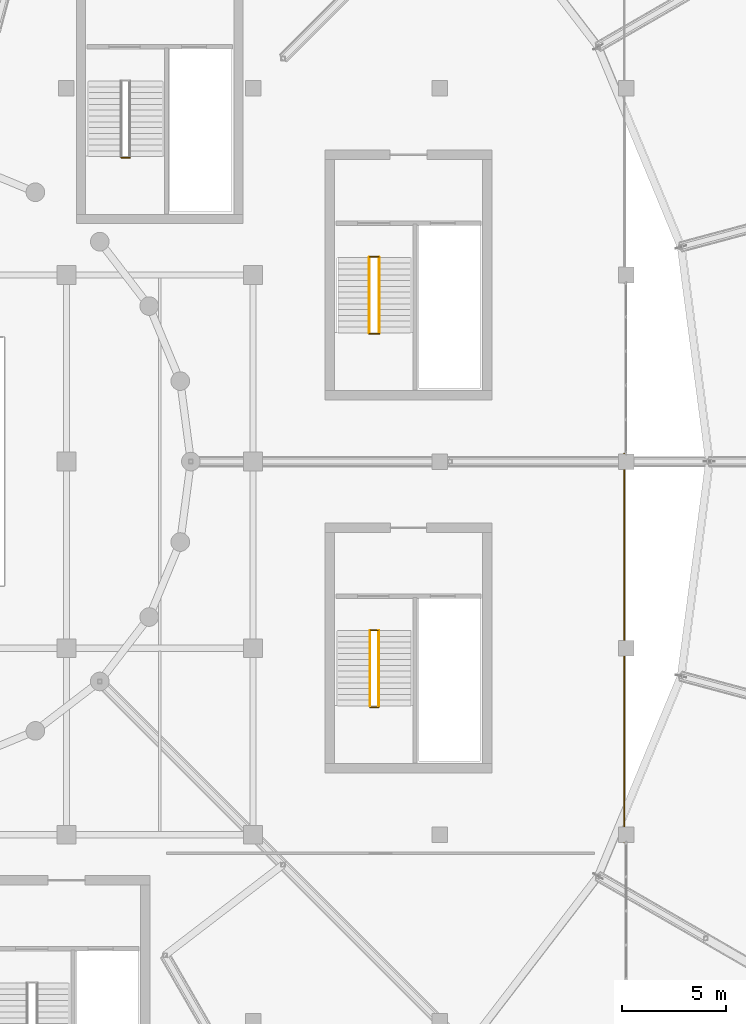
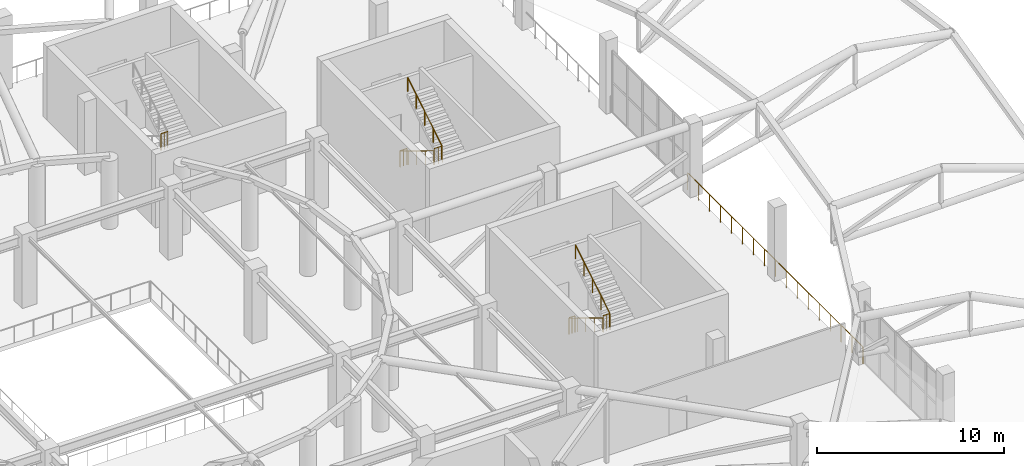
# One storey, part 156 of 167: 10 railings.
"""IFC4 building model written with IfcOpenShell, lengths in metres."""

from ifc_helpers import new_model, si_unit, direction, frame, origin, origin_2d, place, context, subcontext, project, spatial, circle, extrude, material, type_object, element, save


model = new_model("IFC4")

# Units and contexts
model_context = context("Model", 3, precision=1e-05, world=origin(), true_north=direction((0.0, 1.0)))
body_context = subcontext(model_context, "Body", "Model", "MODEL_VIEW")
ifc_project = project(units=[si_unit("LENGTHUNIT", "METRE"), si_unit("AREAUNIT", "SQUARE_METRE"), si_unit("VOLUMEUNIT", "CUBIC_METRE"), si_unit("PLANEANGLEUNIT", "RADIAN"), si_unit("MASSUNIT", "GRAM", prefix="KILO")], contexts=[model_context])

# Site, building, storey
site_placement = place(None, origin())
site = spatial("IfcSite", under=ifc_project, at=site_placement, CompositionType="ELEMENT")
building_placement = place(site_placement, origin())
building = spatial("IfcBuilding", under=site, at=building_placement, Name="Dornveld Trade and Exhibition Forum", CompositionType="ELEMENT")
storey_placement = place(building_placement, frame((0.0, 0.0, 16.800048828125)))
storey = spatial("IfcBuildingStorey", under=building, at=storey_placement, Name="L03", CompositionType="ELEMENT", Elevation=16.800048828125)

# Railings
ifc_material_1 = material(Name="Dark-bronze steel and laminated glass balustrade", Category="steel")
railing_type_1 = type_object("IfcRailingType", Name="RL-BALUST-CONC", PredefinedType="BALUSTRADE", material=ifc_material_1)
railing_1_placement = place(storey_placement, frame((152.89990234375, 81.37109375, 0.0)))
element("IfcRailing", 1, at=railing_1_placement, inside=storey, type_object=railing_type_1, Name="L03 deck edge balustrade 190", PredefinedType="BALUSTRADE", context=body_context, shape_type="SweptSolid", body=[
    extrude(circle(Radius=0.02490234375, at=origin_2d()), frame((0.0, 0.0, 1.09521484375), z_axis=(0.0, -1.0, 0.0), x_axis=(1.0, 0.0, 0.0)), (0.0, 0.0, 1.0), 18.7421875),
    extrude(circle(Radius=0.02099609375, at=origin_2d()), origin(), (0.0, 0.0, 1.0), 1.070068359375),
    extrude(circle(Radius=0.02099609375, at=origin_2d()), frame((0.0, -1.17138671875, 0.0)), (0.0, 0.0, 1.0), 1.070068359375),
    extrude(circle(Radius=0.02099609375, at=origin_2d()), frame((0.0, -2.3427734375, 0.0)), (0.0, 0.0, 1.0), 1.070068359375),
    extrude(circle(Radius=0.02099609375, at=origin_2d()), frame((0.0, -3.51416015625, 0.0)), (0.0, 0.0, 1.0), 1.070068359375),
    extrude(circle(Radius=0.02099609375, at=origin_2d()), frame((0.0, -4.685546875, 0.0)), (0.0, 0.0, 1.0), 1.070068359375),
    extrude(circle(Radius=0.02099609375, at=origin_2d()), frame((0.0, -5.85693359375, 0.0)), (0.0, 0.0, 1.0), 1.070068359375),
    extrude(circle(Radius=0.02099609375, at=origin_2d()), frame((0.0, -7.0283203125, 0.0)), (0.0, 0.0, 1.0), 1.070068359375),
    extrude(circle(Radius=0.02099609375, at=origin_2d()), frame((0.0, -8.19970703125, 0.0)), (0.0, 0.0, 1.0), 1.070068359375),
    extrude(circle(Radius=0.02099609375, at=origin_2d()), frame((0.0, -9.37109375, 0.0)), (0.0, 0.0, 1.0), 1.070068359375),
    extrude(circle(Radius=0.02099609375, at=origin_2d()), frame((0.0, -10.54248046875, 0.0)), (0.0, 0.0, 1.0), 1.070068359375),
    extrude(circle(Radius=0.02099609375, at=origin_2d()), frame((0.0, -11.7138671875, 0.0)), (0.0, 0.0, 1.0), 1.070068359375),
    extrude(circle(Radius=0.02099609375, at=origin_2d()), frame((0.0, -12.88525390625, 0.0)), (0.0, 0.0, 1.0), 1.070068359375),
    extrude(circle(Radius=0.02099609375, at=origin_2d()), frame((0.0, -14.056640625, 0.0)), (0.0, 0.0, 1.0), 1.070068359375),
    extrude(circle(Radius=0.02099609375, at=origin_2d()), frame((0.0, -15.22802734375, 0.0)), (0.0, 0.0, 1.0), 1.070068359375),
    extrude(circle(Radius=0.02099609375, at=origin_2d()), frame((0.0, -16.3994140625, 0.0)), (0.0, 0.0, 1.0), 1.070068359375),
    extrude(circle(Radius=0.02099609375, at=origin_2d()), frame((0.0, -17.57080078125, 0.0)), (0.0, 0.0, 1.0), 1.070068359375),
    extrude(circle(Radius=0.02099609375, at=origin_2d()), frame((0.0, -18.7421875, 0.0)), (0.0, 0.0, 1.0), 1.070068359375),
])
ifc_material_2 = material(Name="Brushed stainless steel handrail", Category="steel")
railing_type_2 = type_object("IfcRailingType", Name="RL-HAND-920", PredefinedType="HANDRAIL", material=ifc_material_2)
railing_2_placement = place(storey_placement, frame((140.60498046875, 90.85009765625, 0.17138671875)))
element("IfcRailing", 2, at=railing_2_placement, inside=storey, type_object=railing_type_2, Name="ST-01-L03 flight 1 handrail", PredefinedType="HANDRAIL", context=body_context, shape_type="SweptSolid", body=[
    extrude(circle(Radius=0.02099609375, at=origin_2d()), frame((0.0, 0.0, 0.89892578125), z_axis=(0.0, -0.852865859571, 0.52213008492), x_axis=(1.0, 0.0, 0.0)), (0.0, 0.0, 1.0), 4.26806640625),
    extrude(circle(Radius=0.01806640625, at=origin_2d()), origin(), (0.0, 0.0, 1.0), 0.8779296875),
    extrude(circle(Radius=0.01806640625, at=origin_2d()), frame((0.0, -0.91015625, 0.55712890625)), (0.0, 0.0, 1.0), 0.8779296875),
    extrude(circle(Radius=0.01806640625, at=origin_2d()), frame((0.0, -1.820068359375, 1.1142578125)), (0.0, 0.0, 1.0), 0.8779296875),
    extrude(circle(Radius=0.01806640625, at=origin_2d()), frame((0.0, -2.72998046875, 1.67138671875)), (0.0, 0.0, 1.0), 0.8779296875),
    extrude(circle(Radius=0.01806640625, at=origin_2d()), frame((0.0, -3.64013671875, 2.228515625)), (0.0, 0.0, 1.0), 0.8779296875),
])
railing_3_placement = place(storey_placement, frame((141.094970703125, 87.2099609375, 2.5712890625)))
element("IfcRailing", 3, at=railing_3_placement, inside=storey, type_object=railing_type_2, Name="ST-01-L03 flight 2 handrail", PredefinedType="HANDRAIL", context=body_context, shape_type="SweptSolid", body=[
    extrude(circle(Radius=0.02099609375, at=origin_2d()), frame((0.0, 0.0, 0.89892578125), z_axis=(0.0, 0.852840387347, 0.522171689878), x_axis=(-1.0, 0.0, 0.0)), (0.0, 0.0, 1.0), 4.268310546875),
    extrude(circle(Radius=0.01806640625, at=origin_2d()), origin(), (0.0, 0.0, 1.0), 0.8779296875),
    extrude(circle(Radius=0.01806640625, at=origin_2d()), frame((0.0, 0.91015625, 0.55712890625)), (0.0, 0.0, 1.0), 0.8779296875),
    extrude(circle(Radius=0.01806640625, at=origin_2d()), frame((0.0, 1.820068359375, 1.1142578125)), (0.0, 0.0, 1.0), 0.8779296875),
    extrude(circle(Radius=0.01806640625, at=origin_2d()), frame((0.0, 2.72998046875, 1.671630859375)), (0.0, 0.0, 1.0), 0.8779296875),
    extrude(circle(Radius=0.01806640625, at=origin_2d()), frame((0.0, 3.64013671875, 2.228759765625)), (0.0, 0.0, 1.0), 0.8779296875),
])
railing_4_placement = place(storey_placement, frame((140.639892578125, 72.85009765625, 0.17138671875)))
element("IfcRailing", 4, at=railing_4_placement, inside=storey, type_object=railing_type_2, Name="ST-08-L03 flight 1 handrail", PredefinedType="HANDRAIL", context=body_context, shape_type="SweptSolid", body=[
    extrude(circle(Radius=0.02099609375, at=origin_2d()), frame((0.0, 0.0, 0.89892578125), z_axis=(0.0, -0.852865859571, 0.52213008492), x_axis=(1.0, 0.0, 0.0)), (0.0, 0.0, 1.0), 4.26806640625),
    extrude(circle(Radius=0.01806640625, at=origin_2d()), origin(), (0.0, 0.0, 1.0), 0.8779296875),
    extrude(circle(Radius=0.01806640625, at=origin_2d()), frame((0.0, -0.91015625, 0.55712890625)), (0.0, 0.0, 1.0), 0.8779296875),
    extrude(circle(Radius=0.01806640625, at=origin_2d()), frame((0.0, -1.820068359375, 1.1142578125)), (0.0, 0.0, 1.0), 0.8779296875),
    extrude(circle(Radius=0.01806640625, at=origin_2d()), frame((0.0, -2.72998046875, 1.67138671875)), (0.0, 0.0, 1.0), 0.8779296875),
    extrude(circle(Radius=0.01806640625, at=origin_2d()), frame((0.0, -3.64013671875, 2.228515625)), (0.0, 0.0, 1.0), 0.8779296875),
])
railing_5_placement = place(storey_placement, frame((141.06005859375, 69.2099609375, 2.5712890625)))
element("IfcRailing", 5, at=railing_5_placement, inside=storey, type_object=railing_type_2, Name="ST-08-L03 flight 2 handrail", PredefinedType="HANDRAIL", context=body_context, shape_type="SweptSolid", body=[
    extrude(circle(Radius=0.02099609375, at=origin_2d()), frame((0.0, 0.0, 0.89892578125), z_axis=(0.0, 0.852840387347, 0.522171689878), x_axis=(-1.0, 0.0, 0.0)), (0.0, 0.0, 1.0), 4.268310546875),
    extrude(circle(Radius=0.01806640625, at=origin_2d()), origin(), (0.0, 0.0, 1.0), 0.8779296875),
    extrude(circle(Radius=0.01806640625, at=origin_2d()), frame((0.0, 0.91015625, 0.55712890625)), (0.0, 0.0, 1.0), 0.8779296875),
    extrude(circle(Radius=0.01806640625, at=origin_2d()), frame((0.0, 1.820068359375, 1.1142578125)), (0.0, 0.0, 1.0), 0.8779296875),
    extrude(circle(Radius=0.01806640625, at=origin_2d()), frame((0.0, 2.72998046875, 1.671630859375)), (0.0, 0.0, 1.0), 0.8779296875),
    extrude(circle(Radius=0.01806640625, at=origin_2d()), frame((0.0, 3.64013671875, 2.228759765625)), (0.0, 0.0, 1.0), 0.8779296875),
])
ifc_material_3 = material(Name="Painted steel S355J2 stair-well guard", Category="steel")
railing_type_3 = type_object("IfcRailingType", Name="RL-WELL-110", PredefinedType="GUARDRAIL", material=ifc_material_3)
railing_6_placement = place(storey_placement, frame((140.60498046875, 87.159912109375, 2.39990234375)))
element("IfcRailing", 6, at=railing_6_placement, inside=storey, type_object=railing_type_3, Name="ST-01-L03 half-landing well guard", PredefinedType="GUARDRAIL", context=body_context, shape_type="SweptSolid", body=[
    extrude(circle(Radius=0.02392578125, at=origin_2d()), frame((0.0, 0.0, 1.076171875), z_axis=(1.0, 0.0, 0.0), x_axis=(0.0, 1.0, 0.0)), (0.0, 0.0, 1.0), 0.489990234375),
    extrude(circle(Radius=0.02001953125, at=origin_2d()), origin(), (0.0, 0.0, 1.0), 1.052001953125),
    extrude(circle(Radius=0.02001953125, at=origin_2d()), frame((0.2451171875, 0.0, 0.0)), (0.0, 0.0, 1.0), 1.052001953125),
    extrude(circle(Radius=0.02001953125, at=origin_2d()), frame((0.489990234375, 0.0, 0.0)), (0.0, 0.0, 1.0), 1.052001953125),
])
railing_7_placement = place(storey_placement, frame((140.635009765625, 90.8701171875, 0.0)))
element("IfcRailing", 7, at=railing_7_placement, inside=storey, type_object=railing_type_3, Name="CORE-01 L03 stair-slot floor guard", PredefinedType="GUARDRAIL", context=body_context, shape_type="SweptSolid", body=[
    extrude(circle(Radius=0.02392578125, at=origin_2d()), frame((0.0, 0.0, 1.076171875), z_axis=(1.0, 0.0, 0.0), x_axis=(0.0, 1.0, 0.0)), (0.0, 0.0, 1.0), 0.429931640625),
    extrude(circle(Radius=0.02001953125, at=origin_2d()), origin(), (0.0, 0.0, 1.0), 1.052001953125),
    extrude(circle(Radius=0.02001953125, at=origin_2d()), frame((0.21484375, 0.0, 0.0)), (0.0, 0.0, 1.0), 1.052001953125),
    extrude(circle(Radius=0.02001953125, at=origin_2d()), frame((0.429931640625, 0.0, 0.0)), (0.0, 0.0, 1.0), 1.052001953125),
])
for number, where, name in (
    (8, (128.639892578125, 95.659912109375, 2.39990234375), "ST-02-L03 half-landing well guard"),
    (9, (140.639892578125, 69.159912109375, 2.39990234375), "ST-08-L03 half-landing well guard"),
):
    element("IfcRailing", number, at=place(storey_placement, frame(where)), inside=storey, type_object=railing_type_3, Name=name, PredefinedType="GUARDRAIL", context=body_context, shape_type="SweptSolid", body=[
        extrude(circle(Radius=0.02392578125, at=origin_2d()), frame((0.0, 0.0, 1.076171875), z_axis=(1.0, 0.0, 0.0), x_axis=(0.0, 1.0, 0.0)), (0.0, 0.0, 1.0), 0.420166015625),
        extrude(circle(Radius=0.02001953125, at=origin_2d()), origin(), (0.0, 0.0, 1.0), 1.052001953125),
        extrude(circle(Radius=0.02001953125, at=origin_2d()), frame((0.2099609375, 0.0, 0.0)), (0.0, 0.0, 1.0), 1.052001953125),
        extrude(circle(Radius=0.02001953125, at=origin_2d()), frame((0.420166015625, 0.0, 0.0)), (0.0, 0.0, 1.0), 1.052001953125),
    ])
railing_8_placement = place(storey_placement, frame((140.669921875, 72.8701171875, 0.0)))
element("IfcRailing", 10, at=railing_8_placement, inside=storey, type_object=railing_type_3, Name="CORE-08 L03 stair-slot floor guard", PredefinedType="GUARDRAIL", context=body_context, shape_type="SweptSolid", body=[
    extrude(circle(Radius=0.02392578125, at=origin_2d()), frame((0.0, 0.0, 1.076171875), z_axis=(1.0, 0.0, 0.0), x_axis=(0.0, 1.0, 0.0)), (0.0, 0.0, 1.0), 0.360107421875),
    extrude(circle(Radius=0.02001953125, at=origin_2d()), origin(), (0.0, 0.0, 1.0), 1.052001953125),
    extrude(circle(Radius=0.02001953125, at=origin_2d()), frame((0.18017578125, 0.0, 0.0)), (0.0, 0.0, 1.0), 1.052001953125),
    extrude(circle(Radius=0.02001953125, at=origin_2d()), frame((0.360107421875, 0.0, 0.0)), (0.0, 0.0, 1.0), 1.052001953125),
])

save(model, "model.ifc")
